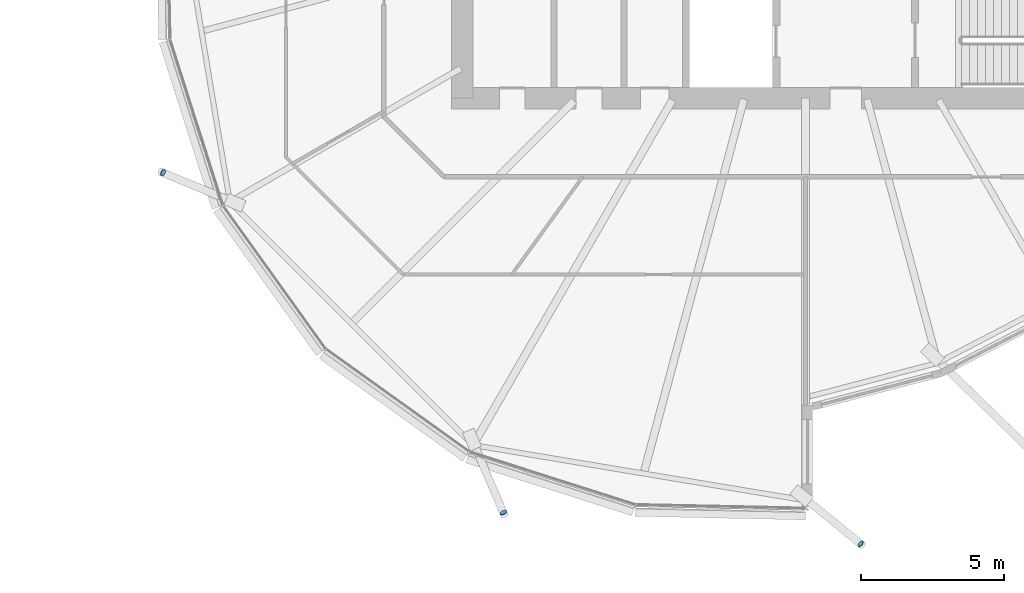
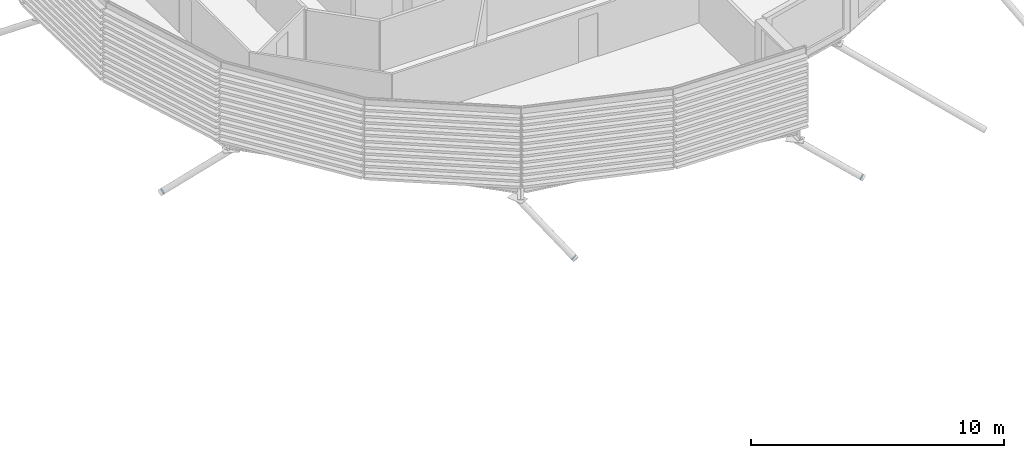
# One storey, part 31 of 40: 3 discrete accessories.
"""IFC4 building model written with IfcOpenShell, lengths in metres."""

from ifc_helpers import new_model, si_unit, direction, frame, origin, origin_2d, place, context, subcontext, project, spatial, circle, extrude, material, material_profile, profile_set, type_object, element, save


model = new_model("IFC4")

# Units and contexts
model_context = context("Model", 3, precision=1e-05, world=origin(), true_north=direction((0.0, 1.0)))
body_context = subcontext(model_context, "Body", "Model", "MODEL_VIEW")
ifc_project = project(units=[si_unit("LENGTHUNIT", "METRE"), si_unit("AREAUNIT", "SQUARE_METRE"), si_unit("VOLUMEUNIT", "CUBIC_METRE"), si_unit("PLANEANGLEUNIT", "RADIAN"), si_unit("MASSUNIT", "GRAM", prefix="KILO")], contexts=[model_context])

# Site, building, storey
site_placement = place(None, origin())
site = spatial("IfcSite", under=ifc_project, at=site_placement, CompositionType="ELEMENT")
building_placement = place(site_placement, origin())
building = spatial("IfcBuilding", under=site, at=building_placement, Name="Rimbun Link Towers", CompositionType="ELEMENT")
storey_placement = place(building_placement, frame((0.0, 0.0, 89.199951171875)))
storey = spatial("IfcBuildingStorey", under=building, at=storey_placement, Name="L21", CompositionType="ELEMENT", Elevation=89.199951171875)

# Discrete accessories
ifc_material = material(Name="Steel S355J2H", Category="steel")
ifc_material_profile = material_profile(ifc_material, circle(Radius=0.1240234375, at=origin_2d()), Name="PL D248")
ifc_profile_set = profile_set([ifc_material_profile], Name="Steel S355J2H")
discrete_accessory_type = type_object("IfcDiscreteAccessoryType", Name="Link foot sealing plate D248X20", PredefinedType="BRACKET", material=ifc_profile_set)
for number, where, z_axis, x_axis, name in (
    (1, (9.2841796875, -10.611083984375, -2.466064453125), (-0.776285258402, 0.315365886226, -0.545825572314), (-0.376377046956, -0.926466577122, 0.0), "Link foot sealing plate T2 L21 11"),
    (2, (21.177001953125, -22.48876953125, -2.6083984375), (0.343513033368, -0.785172647699, -0.515269550053), (0.916157334902, 0.40081883402, 0.0), "Link foot sealing plate T2 L21 13"),
    (3, (33.670654296875, -23.58447265625, -2.44091796875), (0.674453273433, -0.551825405536, -0.490511471588), (0.633237790257, 0.773957299203, 0.0), "Link foot sealing plate T2 L21 15"),
):
    element("IfcDiscreteAccessory", number, at=place(storey_placement, frame(where, z_axis=z_axis, x_axis=x_axis)), inside=storey, type_object=discrete_accessory_type, Name=name, PredefinedType="BRACKET", context=body_context, shape_type="SweptSolid", body=[
        extrude(circle(Radius=0.1240234375, at=origin_2d()), origin(), (0.0, 0.0, 1.0), 0.02001953125),
    ])

save(model, "model.ifc")
